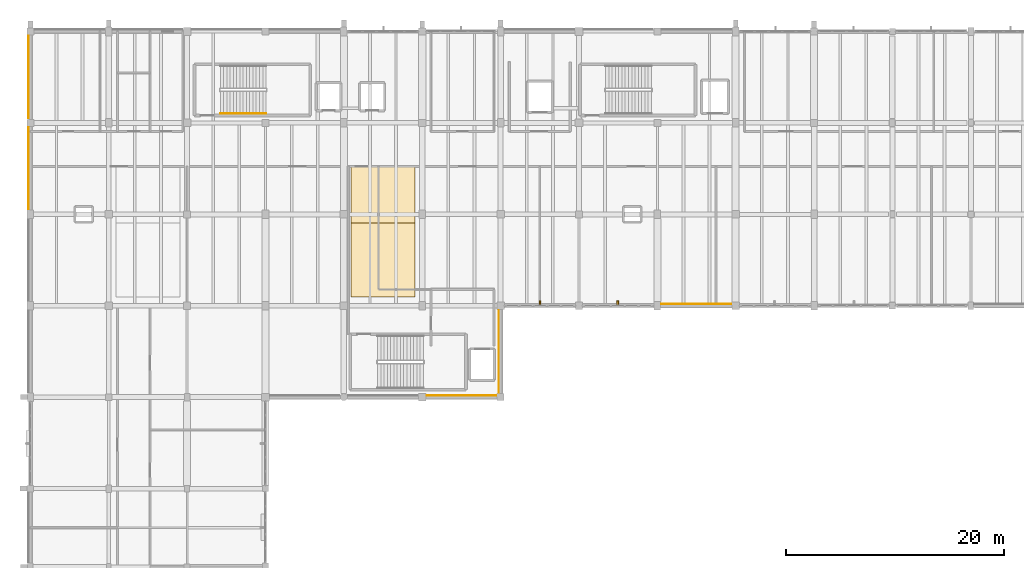
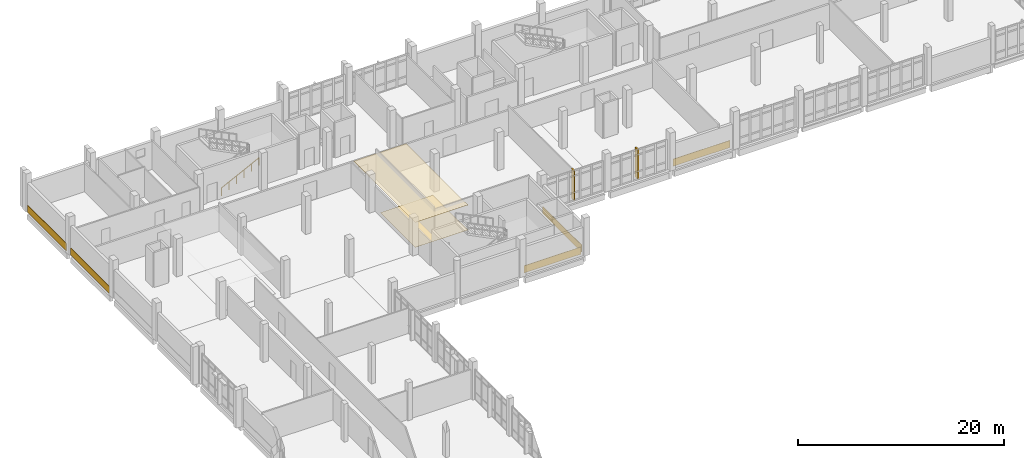
# One storey, part 55 of 57: 7 coverings, 2 shading devices, 1 railing.
"""IFC4 building model written with IfcOpenShell, lengths in metres."""

from ifc_helpers import new_model, si_unit, direction, frame, origin, origin_2d, place, context, subcontext, project, spatial, polyline, rectangle, circle, outline, extrude, material, layer, layer_set, type_object, element, save


model = new_model("IFC4")

# Units and contexts
model_context = context("Model", 3, precision=1e-05, world=origin(), true_north=direction((0.0, 1.0)))
body_context = subcontext(model_context, "Body", "Model", "MODEL_VIEW")
ifc_project = project(units=[si_unit("LENGTHUNIT", "METRE"), si_unit("AREAUNIT", "SQUARE_METRE"), si_unit("VOLUMEUNIT", "CUBIC_METRE"), si_unit("PLANEANGLEUNIT", "RADIAN"), si_unit("MASSUNIT", "GRAM", prefix="KILO")], contexts=[model_context])

# Site, building, storey
site_placement = place(None, origin())
site = spatial("IfcSite", under=ifc_project, at=site_placement, CompositionType="ELEMENT")
building_placement = place(site_placement, origin())
building = spatial("IfcBuilding", under=site, at=building_placement, Name="Kalluvel Institute of Natural Sciences", CompositionType="ELEMENT")
storey_placement = place(building_placement, frame((0.0, 0.0, 23.39990234375)))
storey = spatial("IfcBuildingStorey", under=building, at=storey_placement, Name="L05", CompositionType="ELEMENT", Elevation=23.39990234375)

# Coverings
ifc_material_1 = material(Name="Perforated Mineral-Fibre Acoustic Tile", Category="gypsum")
ifc_layer_1 = layer(ifc_material_1, 0.02490234375)
ifc_layer_set_1 = layer_set([ifc_layer_1], Name="Perforated Mineral-Fibre Acoustic Tile")
covering_type_1 = type_object("IfcCoveringType", Name="COV-CEIL-600", PredefinedType="CEILING", material=ifc_layer_set_1)
covering_1_placement = place(storey_placement, frame((0.0, 0.0, 2.9501953125)))
element("IfcCovering", 1, at=covering_1_placement, inside=storey, type_object=covering_type_1, Name="L05 laboratory acoustic ceiling panel 12", PredefinedType="CEILING", context=body_context, shape_type="SweptSolid", body=[
    extrude(outline(polyline([(43.449951171875, 103.60009765625), (49.35009765625, 103.60009765625), (49.35009765625, 115.60009765625), (43.449951171875, 115.60009765625), (43.449951171875, 103.60009765625)])), origin(), (0.0, 0.0, 1.0), 0.02490234375),
])
ifc_material_2 = material(Name="Sadarahalli Grey Granite Ashlar Concrete M40", Category="masonry")
ifc_layer_2 = layer(ifc_material_2, 0.044921875)
ifc_layer_set_2 = layer_set([ifc_layer_2], Name="Sadarahalli Grey Granite Ashlar Concrete M40")
covering_type_2 = type_object("IfcCoveringType", Name="COV-CLAD-STONE", PredefinedType="CLADDING", material=ifc_layer_set_2)
covering_2_placement = place(storey_placement, frame((75.175048828125, 102.969970703125, 0.025146484375), z_axis=(0.0, 0.0, 1.0), x_axis=(1.0, 0.0, 0.0)))
element("IfcCovering", 2, at=covering_2_placement, inside=storey, type_object=covering_type_2, Name="L05 Sadarahalli granite plinth spandrel cladding 66", PredefinedType="CLADDING", context=body_context, shape_type="SweptSolid", body=[
    extrude(rectangle(XDim=6.389892578125, YDim=0.044921875, at=origin_2d()), origin(), (0.0, 0.0, 1.0), 0.85009765625),
])
covering_3_placement = place(storey_placement, frame((13.820068359375, 115.4375, 0.025146484375), z_axis=(0.0, 0.0, 1.0), x_axis=(0.0, 1.0, 0.0)))
element("IfcCovering", 3, at=covering_3_placement, inside=storey, type_object=covering_type_2, Name="L05 Sadarahalli granite plinth spandrel cladding 69", PredefinedType="CLADDING", context=body_context, shape_type="SweptSolid", body=[
    extrude(rectangle(XDim=7.514892578125, YDim=0.044921875, at=origin_2d()), origin(), (0.0, 0.0, 1.0), 0.85009765625),
])
covering_4_placement = place(storey_placement, frame((13.820068359375, 123.800048828125, 0.025146484375), z_axis=(0.0, 0.0, 1.0), x_axis=(0.0, 1.0, 0.0)))
element("IfcCovering", 4, at=covering_4_placement, inside=storey, type_object=covering_type_2, Name="L05 Sadarahalli granite plinth spandrel cladding 70", PredefinedType="CLADDING", context=body_context, shape_type="SweptSolid", body=[
    extrude(rectangle(XDim=7.590087890625, YDim=0.044921875, at=origin_2d()), origin(), (0.0, 0.0, 1.0), 0.85009765625),
])
covering_5_placement = place(storey_placement, frame((53.612548828125, 94.570068359375, 0.025146484375), z_axis=(0.0, 0.0, 1.0), x_axis=(1.0, 0.0, 0.0)))
element("IfcCovering", 5, at=covering_5_placement, inside=storey, type_object=covering_type_2, Name="L05 Sadarahalli granite plinth spandrel cladding 113", PredefinedType="CLADDING", context=body_context, shape_type="SweptSolid", body=[
    extrude(rectangle(XDim=6.364990234375, YDim=0.044921875, at=origin_2d()), origin(), (0.0, 0.0, 1.0), 0.85009765625),
])
covering_6_placement = place(storey_placement, frame((57.030029296875, 98.58740234375, 0.025146484375), z_axis=(0.0, 0.0, 1.0), x_axis=(0.0, 1.0, 0.0)))
element("IfcCovering", 6, at=covering_6_placement, inside=storey, type_object=covering_type_2, Name="L05 Sadarahalli granite plinth spandrel cladding 114", PredefinedType="CLADDING", context=body_context, shape_type="SweptSolid", body=[
    extrude(rectangle(XDim=7.56494140625, YDim=0.044921875, at=origin_2d()), origin(), (0.0, 0.0, 1.0), 0.85009765625),
])
ifc_material_3 = material(Name="Seamless Chemical-Resistant Epoxy Flooring", Category="resin")
ifc_layer_3 = layer(ifc_material_3, 0.014892578125)
ifc_layer_set_3 = layer_set([ifc_layer_3], Name="Seamless Chemical-Resistant Epoxy Flooring")
covering_type_3 = type_object("IfcCoveringType", Name="COV-FLR-EPOXY", PredefinedType="FLOORING", material=ifc_layer_set_3)
covering_7_placement = place(storey_placement, origin())
element("IfcCovering", 7, at=covering_7_placement, inside=storey, type_object=covering_type_3, Name="L05 seamless epoxy laboratory floor finish 12", PredefinedType="FLOORING", context=body_context, shape_type="SweptSolid", body=[
    extrude(outline(polyline([(43.449951171875, 103.60009765625), (49.35009765625, 103.60009765625), (49.35009765625, 110.39990234375), (43.449951171875, 110.39990234375), (43.449951171875, 103.60009765625)])), origin(), (0.0, 0.0, 1.0), 0.01513671875),
])

# Railing
ifc_material_4 = material(Name="Galvanized Fire-Rated Steel", Category="steel")
railing_type = type_object("IfcRailingType", Name="RL-HR-STAIR", PredefinedType="HANDRAIL", material=ifc_material_4)
railing_placement = place(storey_placement, frame((31.449951171875, 120.449951171875, 0.150146484375)))
element("IfcRailing", 8, at=railing_placement, inside=storey, type_object=railing_type, Name="L05 ST1 stair handrail 1", PredefinedType="HANDRAIL", context=body_context, shape_type="SweptSolid", body=[
    extrude(circle(Radius=0.02392578125, at=origin_2d()), frame((0.0, 0.0, 0.89599609375), z_axis=(0.894437589381, 0.0, 0.447192798132), x_axis=(0.0, 1.0, 0.0)), (0.0, 0.0, 1.0), 4.695556640625),
    extrude(circle(Radius=0.02099609375, at=origin_2d()), origin(), (0.0, 0.0, 1.0), 0.871826171875),
    extrude(circle(Radius=0.02099609375, at=origin_2d()), frame((0.840087890625, 0.0, 0.419921875)), (0.0, 0.0, 1.0), 0.871826171875),
    extrude(circle(Radius=0.02099609375, at=origin_2d()), frame((1.679931640625, 0.0, 0.83984375)), (0.0, 0.0, 1.0), 0.871826171875),
    extrude(circle(Radius=0.02099609375, at=origin_2d()), frame((2.52001953125, 0.0, 1.260009765625)), (0.0, 0.0, 1.0), 0.871826171875),
    extrude(circle(Radius=0.02099609375, at=origin_2d()), frame((3.35986328125, 0.0, 1.679931640625)), (0.0, 0.0, 1.0), 0.871826171875),
    extrude(circle(Radius=0.02099609375, at=origin_2d()), frame((4.199951171875, 0.0, 2.099853515625)), (0.0, 0.0, 1.0), 0.871826171875),
])

# Shading devices
shading_device_type = type_object("IfcShadingDeviceType", Name="SHD-FIN-STONE", PredefinedType="USERDEFINED", material=ifc_material_2)
for number, where, z_axis, x_axis, name in (
    (9, (60.8125, 103.02001953125, 0.0), (0.0, 0.0, 1.0), (1.0, 0.0, 0.0), "L05 monsoon lancet shading fin 68"),
    (10, (67.96240234375, 103.02001953125, 0.0), (0.0, 0.0, 1.0), (1.0, 0.0, 0.0), "L05 monsoon lancet shading fin 69"),
):
    element("IfcShadingDevice", number, at=place(storey_placement, frame(where, z_axis=z_axis, x_axis=x_axis)), inside=storey, type_object=shading_device_type, Name=name, ObjectType="MONSOON FIN", PredefinedType="USERDEFINED", context=body_context, shape_type="SweptSolid", body=[
        extrude(rectangle(XDim=0.139892578125, YDim=0.47998046875, at=origin_2d()), origin(), (0.0, 0.0, 1.0), 3.530029296875),
    ])

save(model, "model.ifc")
